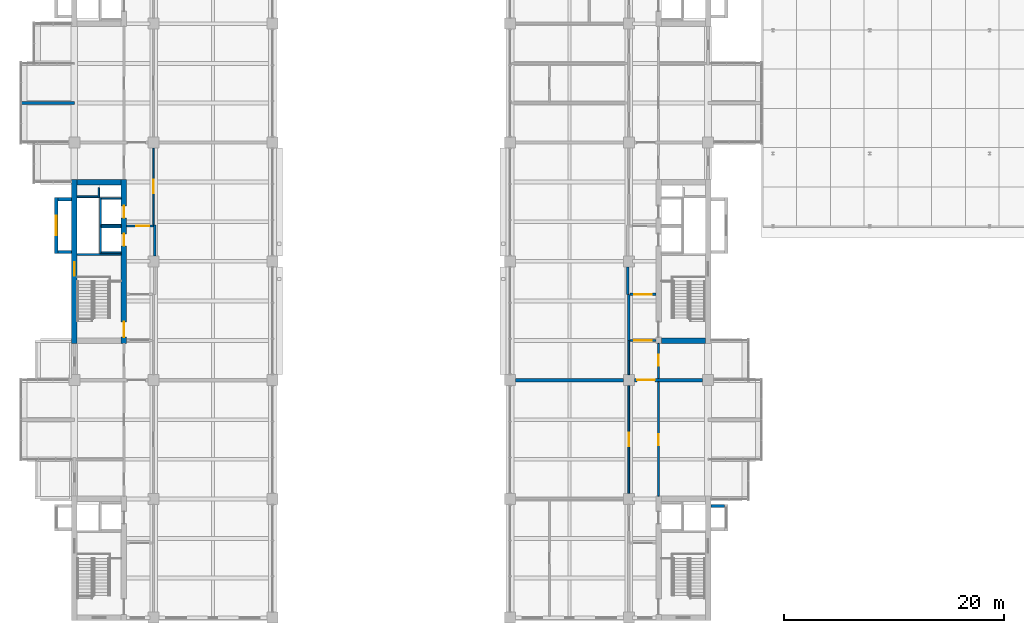
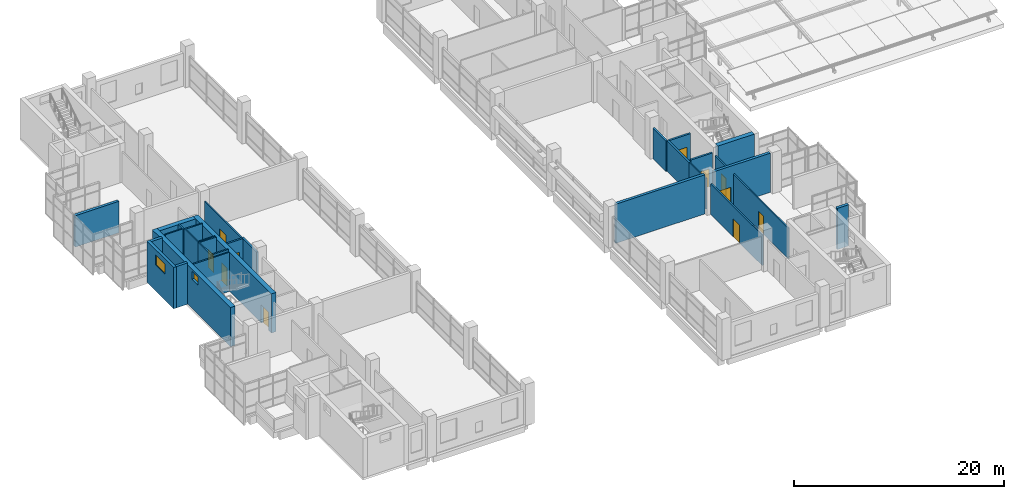
# One storey, part 37 of 44: 31 walls, 11 doors, 2 windows, 13 openings.
"""IFC4 building model written with IfcOpenShell, lengths in metres."""

from ifc_helpers import new_model, si_unit, direction, frame, frame_2d, origin, place, context, subcontext, project, spatial, rectangle, extrude, material, layer, layer_set, type_object, element, fill, save


model = new_model("IFC4")

# Units and contexts
model_context = context("Model", 3, precision=1e-05, world=origin(), true_north=direction((0.0, 1.0)))
body_context = subcontext(model_context, "Body", "Model", "MODEL_VIEW")
ifc_project = project(units=[si_unit("LENGTHUNIT", "METRE"), si_unit("AREAUNIT", "SQUARE_METRE"), si_unit("VOLUMEUNIT", "CUBIC_METRE"), si_unit("PLANEANGLEUNIT", "RADIAN"), si_unit("MASSUNIT", "GRAM", prefix="KILO")], contexts=[model_context])

# Site, building, storey
site_placement = place(None, origin())
site = spatial("IfcSite", under=ifc_project, at=site_placement, CompositionType="ELEMENT")
building_placement = place(site_placement, origin())
building = spatial("IfcBuilding", under=site, at=building_placement, Name="Basin Gate Institute", CompositionType="ELEMENT")
storey_placement = place(building_placement, frame((0.0, 0.0, 27.0)))
storey = spatial("IfcBuildingStorey", under=building, at=storey_placement, Name="L05", CompositionType="ELEMENT", Elevation=27.0)

# Wall
ifc_material_1 = material(Name="Aluminium-faced insulated panel wall", Category="aluminium")
ifc_layer_1 = layer(ifc_material_1, 0.300048828125)
ifc_layer_set_1 = layer_set([ifc_layer_1], Name="Capsule side wall EW2 EI 120")
wall_type_1 = type_object("IfcWallType", Name="Capsule side wall EW2 EI 120", PredefinedType="STANDARD", material=ifc_layer_set_1)
wall_1_placement = place(storey_placement, frame((56.39990234375, 81.89990234375, 0.0), z_axis=(0.0, 0.0, 1.0), x_axis=(1.0, 0.0, 0.0)))
element("IfcWall", 1, at=wall_1_placement, inside=storey, type_object=wall_type_1, material=ifc_layer_set_1, Name="Capsule side wall W wing L05 line 14", PredefinedType="STANDARD", context=body_context, shape_type="SweptSolid", body=[
    extrude(rectangle(XDim=4.800048828125, YDim=0.300048828125, at=frame_2d((2.39990234375, 0.0))), origin(), (0.0, 0.0, 1.0), 3.64990234375),
])

# Wall, opening, door
ifc_material_2 = material(Name="Fire-rated masonry", Category="masonry")
ifc_layer_2 = layer(ifc_material_2, 0.199951171875)
ifc_layer_set_2 = layer_set([ifc_layer_2], Name="Enclosure wall PW2 200 EI 60")
wall_type_2 = type_object("IfcWallType", Name="Enclosure wall PW2 200 EI 60", PredefinedType="PARTITIONING", material=ifc_layer_set_2)
wall_2_placement = place(storey_placement, frame((65.949951171875, 70.699951171875, 0.0), z_axis=(0.0, 0.0, 1.0), x_axis=(1.0, 0.0, 0.0)))
wall_2 = element("IfcWall", 2, at=wall_2_placement, inside=storey, type_object=wall_type_2, material=ifc_layer_set_2, Name="Emergency lift lobby wall PW2 L05", PredefinedType="PARTITIONING", context=body_context, shape_type="SweptSolid", body=[
    extrude(rectangle(XDim=2.449951171875, YDim=0.199951171875, at=frame_2d((1.22509765625, 0.0))), origin(), (0.0, 0.0, 1.0), 3.550048828125),
])
opening_1_placement = place(wall_2_placement, frame((0.85009765625, 0.0, 0.0)))
opening_1 = element("IfcOpeningElement", 3, at=opening_1_placement, cuts=wall_2, Name="Opening DR275", PredefinedType="OPENING", context=body_context, shape_type="SweptSolid", body=[
    extrude(rectangle(XDim=1.199951171875, YDim=2.10009765625, at=frame_2d((0.60009765625, 1.050048828125))), frame((0.0, 0.10986328125, 0.0), z_axis=(0.0, -1.0, 0.0), x_axis=(1.0, 0.0, 0.0)), (0.0, 0.0, 1.0), 0.219970703125),
])
ifc_material_3 = material(Name="Steel fire door", Category="steel")
door_type_1 = type_object("IfcDoorType", Name="FD60 Emergency lift lobby door D9", OperationType="NOTDEFINED", PredefinedType="DOOR", material=ifc_material_3)
door_1_placement = place(opening_1_placement, frame((1.199951171875, 0.0, 0.0), z_axis=(0.0, 0.0, 1.0), x_axis=(-1.0, 0.0, 0.0)))
door_1 = element("IfcDoor", 4, at=door_1_placement, inside=storey, type_object=door_type_1, material=ifc_material_3, Name="Emergency lift lobby door LF1 L05", OperationType="SINGLE_SWING_LEFT", OverallHeight=2.10009765625, OverallWidth=1.199951171875, PredefinedType="DOOR", context=body_context, shape_type="SweptSolid", body=[
    extrude(rectangle(XDim=1.199951171875, YDim=2.10009765625, at=frame_2d((0.60009765625, 1.050048828125))), frame((0.0, 0.02490234375, 0.0), z_axis=(0.0, -1.0, 0.0), x_axis=(1.0, 0.0, 0.0)), (0.0, 0.0, 1.0), 0.050048828125),
])
fill(opening_1, door_1)

# Wall
wall_3_placement = place(storey_placement, frame((68.5, 68.0, 0.0), z_axis=(0.0, 0.0, 1.0), x_axis=(0.0, 1.0, 0.0)))
element("IfcWall", 5, at=wall_3_placement, inside=storey, type_object=wall_type_2, material=ifc_layer_set_2, Name="Emergency lift lobby wall PW2 L05", PredefinedType="PARTITIONING", context=body_context, shape_type="SweptSolid", body=[
    extrude(rectangle(XDim=2.800048828125, YDim=0.199951171875, at=frame_2d((1.39990234375, 0.0))), origin(), (0.0, 0.0, 1.0), 3.550048828125),
])

# Wall, opening, door
wall_4_placement = place(storey_placement, frame((114.050048828125, 60.300048828125, 0.0), z_axis=(0.0, 0.0, 1.0), x_axis=(-1.0, 0.0, 0.0)))
wall_4 = element("IfcWall", 6, at=wall_4_placement, inside=storey, type_object=wall_type_2, material=ifc_layer_set_2, Name="Smoke lobby enclosure wall PW2 L05", PredefinedType="PARTITIONING", context=body_context, shape_type="SweptSolid", body=[
    extrude(rectangle(XDim=2.35009765625, YDim=0.199951171875, at=frame_2d((1.175048828125, 0.0))), origin(), (0.0, 0.0, 1.0), 3.85009765625),
])
opening_2_placement = place(wall_4_placement, frame((0.375, 0.0, 0.0)))
opening_2 = element("IfcOpeningElement", 7, at=opening_2_placement, cuts=wall_4, Name="Opening DR262", PredefinedType="OPENING", context=body_context, shape_type="SweptSolid", body=[
    extrude(rectangle(XDim=1.60009765625, YDim=2.10009765625, at=frame_2d((0.800048828125, 1.050048828125))), frame((0.0, 0.10986328125, 0.0), z_axis=(0.0, -1.0, 0.0), x_axis=(1.0, 0.0, 0.0)), (0.0, 0.0, 1.0), 0.219970703125),
])
ifc_material_4 = material(Name="Steel fire door", Category="steel")
door_type_2 = type_object("IfcDoorType", Name="FD60 Smoke lobby door pair D8", OperationType="DOUBLE_DOOR_SINGLE_SWING", PredefinedType="DOOR", material=ifc_material_4)
door_2_placement = place(opening_2_placement, frame((1.60009765625, 0.0, 0.0), z_axis=(0.0, 0.0, 1.0), x_axis=(-1.0, 0.0, 0.0)))
door_2 = element("IfcDoor", 8, at=door_2_placement, inside=storey, type_object=door_type_2, material=ifc_material_4, Name="Smoke lobby door SS5 L05", OperationType="DOUBLE_DOOR_SINGLE_SWING", OverallHeight=2.10009765625, OverallWidth=1.60009765625, PredefinedType="DOOR", context=body_context, shape_type="SweptSolid", body=[
    extrude(rectangle(XDim=1.60009765625, YDim=2.10009765625, at=frame_2d((0.800048828125, 1.050048828125))), frame((0.0, 0.02490234375, 0.0), z_axis=(0.0, -1.0, 0.0), x_axis=(1.0, 0.0, 0.0)), (0.0, 0.0, 1.0), 0.050048828125),
])
fill(opening_2, door_2)

wall_5_placement = place(storey_placement, frame((114.050048828125, 64.5, 0.0), z_axis=(0.0, 0.0, 1.0), x_axis=(-1.0, 0.0, 0.0)))
wall_5 = element("IfcWall", 9, at=wall_5_placement, inside=storey, type_object=wall_type_2, material=ifc_layer_set_2, Name="Smoke lobby enclosure wall PW2 L05", PredefinedType="PARTITIONING", context=body_context, shape_type="SweptSolid", body=[
    extrude(rectangle(XDim=2.35009765625, YDim=0.199951171875, at=frame_2d((1.175048828125, 0.0))), origin(), (0.0, 0.0, 1.0), 3.550048828125),
])
opening_3_placement = place(wall_5_placement, frame((0.375, 0.0, 0.0)))
opening_3 = element("IfcOpeningElement", 10, at=opening_3_placement, cuts=wall_5, Name="Opening DR263", PredefinedType="OPENING", context=body_context, shape_type="SweptSolid", body=[
    extrude(rectangle(XDim=1.60009765625, YDim=2.10009765625, at=frame_2d((0.800048828125, 1.050048828125))), frame((0.0, 0.10986328125, 0.0), z_axis=(0.0, -1.0, 0.0), x_axis=(1.0, 0.0, 0.0)), (0.0, 0.0, 1.0), 0.219970703125),
])
door_3_placement = place(opening_3_placement, origin())
door_3 = element("IfcDoor", 11, at=door_3_placement, inside=storey, type_object=door_type_2, material=ifc_material_4, Name="Smoke lobby door SS5 L05", OperationType="DOUBLE_DOOR_SINGLE_SWING", OverallHeight=2.10009765625, OverallWidth=1.60009765625, PredefinedType="DOOR", context=body_context, shape_type="SweptSolid", body=[
    extrude(rectangle(XDim=1.60009765625, YDim=2.10009765625, at=frame_2d((0.800048828125, 1.050048828125))), frame((0.0, 0.02490234375, 0.0), z_axis=(0.0, -1.0, 0.0), x_axis=(1.0, 0.0, 0.0)), (0.0, 0.0, 1.0), 0.050048828125),
])
fill(opening_3, door_3)

# Walls
wall_6_placement = place(storey_placement, frame((111.60009765625, 60.300048828125, 0.0), z_axis=(0.0, 0.0, 1.0), x_axis=(0.0, 1.0, 0.0)))
element("IfcWall", 12, at=wall_6_placement, inside=storey, type_object=wall_type_2, material=ifc_layer_set_2, Name="Smoke lobby enclosure wall PW2 L05", PredefinedType="PARTITIONING", context=body_context, shape_type="SweptSolid", body=[
    extrude(rectangle(XDim=4.199951171875, YDim=0.199951171875, at=frame_2d((2.10009765625, 0.0))), origin(), (0.0, 0.0, 1.0), 3.550048828125),
])
wall_7_placement = place(storey_placement, frame((111.5, 64.5, 0.0), z_axis=(0.0, 0.0, 1.0), x_axis=(0.0, 1.0, 0.0)))
element("IfcWall", 13, at=wall_7_placement, inside=storey, type_object=wall_type_2, material=ifc_layer_set_2, Name="Emergency lift lobby wall PW2 L05", PredefinedType="PARTITIONING", context=body_context, shape_type="SweptSolid", body=[
    extrude(rectangle(XDim=2.5, YDim=0.199951171875, at=frame_2d((1.25, 0.0))), origin(), (0.0, 0.0, 1.0), 3.550048828125),
])

# Wall, opening, door
ifc_material_5 = material(Name="Gypsum board on steel stud", Category="steel")
ifc_layer_3 = layer(ifc_material_5, 0.14990234375)
ifc_layer_set_3 = layer_set([ifc_layer_3], Name="Gypsum board on steel stud")
wall_type_3 = type_object("IfcWallType", Name="Partition PW1 150 EI 60", PredefinedType="PARTITIONING", material=ifc_layer_set_3)
wall_8_placement = place(storey_placement, frame((68.39990234375, 70.800048828125, 0.0), z_axis=(0.0, 0.0, 1.0), x_axis=(0.0, 1.0, 0.0)))
wall_8 = element("IfcWall", 14, at=wall_8_placement, inside=storey, type_object=wall_type_3, material=ifc_layer_set_3, Name="Laboratory corridor wall PW1 L05", PredefinedType="PARTITIONING", context=body_context, shape_type="SweptSolid", body=[
    extrude(rectangle(XDim=7.0, YDim=0.14990234375, at=frame_2d((3.5, 0.0))), origin(), (0.0, 0.0, 1.0), 3.550048828125),
])
opening_4_placement = place(wall_8_placement, frame((2.89990234375, 0.0, 0.0)))
opening_4 = element("IfcOpeningElement", 15, at=opening_4_placement, cuts=wall_8, Name="Opening DR273", PredefinedType="OPENING", context=body_context, shape_type="SweptSolid", body=[
    extrude(rectangle(XDim=1.199951171875, YDim=2.10009765625, at=frame_2d((0.60009765625, 1.050048828125))), frame((0.0, 0.0849609375, 0.0), z_axis=(0.0, -1.0, 0.0), x_axis=(1.0, 0.0, 0.0)), (0.0, 0.0, 1.0), 0.169921875),
])
ifc_material_6 = material(Name="Timber fire door", Category="wood")
door_type_3 = type_object("IfcDoorType", Name="FD30 Laboratory door D2", OperationType="DOUBLE_DOOR_SINGLE_SWING", PredefinedType="DOOR", material=ifc_material_6)
door_4_placement = place(opening_4_placement, frame((1.199951171875, 0.0, 0.0), z_axis=(0.0, 0.0, 1.0), x_axis=(-1.0, 0.0, 0.0)))
door_4 = element("IfcDoor", 16, at=door_4_placement, inside=storey, type_object=door_type_3, material=ifc_material_6, Name="Door to Wet Laboratory 0515 L05", OperationType="DOUBLE_DOOR_SINGLE_SWING", OverallHeight=2.10009765625, OverallWidth=1.199951171875, PredefinedType="DOOR", context=body_context, shape_type="SweptSolid", body=[
    extrude(rectangle(XDim=1.199951171875, YDim=2.10009765625, at=frame_2d((0.60009765625, 1.050048828125))), frame((0.0, 0.02490234375, 0.0), z_axis=(0.0, -1.0, 0.0), x_axis=(1.0, 0.0, 0.0)), (0.0, 0.0, 1.0), 0.050048828125),
])
fill(opening_4, door_4)

wall_9_placement = place(storey_placement, frame((114.300048828125, 46.14990234375, 0.0), z_axis=(0.0, 0.0, 1.0), x_axis=(0.0, 1.0, 0.0)))
wall_9 = element("IfcWall", 17, at=wall_9_placement, inside=storey, type_object=wall_type_3, material=ifc_layer_set_3, Name="Corridor wall PW1 L05", PredefinedType="PARTITIONING", context=body_context, shape_type="SweptSolid", body=[
    extrude(rectangle(XDim=10.400146484375, YDim=0.14990234375, at=frame_2d((5.2001953125, 0.0))), origin(), (0.0, 0.0, 1.0), 3.550048828125),
])
opening_5_placement = place(wall_9_placement, frame((4.64990234375, 0.0, 0.0)))
opening_5 = element("IfcOpeningElement", 18, at=opening_5_placement, cuts=wall_9, Name="Opening DR256", PredefinedType="OPENING", context=body_context, shape_type="SweptSolid", body=[
    extrude(rectangle(XDim=1.0, YDim=2.10009765625, at=frame_2d((0.5, 1.050048828125))), frame((0.0, 0.0849609375, 0.0), z_axis=(0.0, -1.0, 0.0), x_axis=(1.0, 0.0, 0.0)), (0.0, 0.0, 1.0), 0.169921875),
])
ifc_material_7 = material(Name="Timber fire door", Category="wood")
door_type_4 = type_object("IfcDoorType", Name="FD30 Office door D1", OperationType="NOTDEFINED", PredefinedType="DOOR", material=ifc_material_7)
door_5_placement = place(opening_5_placement, frame((1.0, 0.0, 0.0), z_axis=(0.0, 0.0, 1.0), x_axis=(-1.0, 0.0, 0.0)))
door_5 = element("IfcDoor", 19, at=door_5_placement, inside=storey, type_object=door_type_4, material=ifc_material_7, Name="Door to Library Carrel Room 0551 L05", OperationType="SINGLE_SWING_RIGHT", OverallHeight=2.10009765625, OverallWidth=1.0, PredefinedType="DOOR", context=body_context, shape_type="SweptSolid", body=[
    extrude(rectangle(XDim=1.0, YDim=2.10009765625, at=frame_2d((0.5, 1.050048828125))), frame((0.0, 0.02490234375, 0.0), z_axis=(0.0, -1.0, 0.0), x_axis=(1.0, 0.0, 0.0)), (0.0, 0.0, 1.0), 0.050048828125),
])
fill(opening_5, door_5)

wall_10_placement = place(storey_placement, frame((114.300048828125, 56.85009765625, 0.0), z_axis=(0.0, 0.0, 1.0), x_axis=(0.0, 1.0, 0.0)))
wall_10 = element("IfcWall", 20, at=wall_10_placement, inside=storey, type_object=wall_type_3, material=ifc_layer_set_3, Name="Corridor wall PW1 L05", PredefinedType="PARTITIONING", context=body_context, shape_type="SweptSolid", body=[
    extrude(rectangle(XDim=3.199951171875, YDim=0.14990234375, at=frame_2d((1.60009765625, 0.0))), origin(), (0.0, 0.0, 1.0), 3.550048828125),
])
opening_6_placement = place(wall_10_placement, frame((1.14990234375, 0.0, 0.0)))
opening_6 = element("IfcOpeningElement", 21, at=opening_6_placement, cuts=wall_10, Name="Opening DR259", PredefinedType="OPENING", context=body_context, shape_type="SweptSolid", body=[
    extrude(rectangle(XDim=1.0, YDim=2.10009765625, at=frame_2d((0.5, 1.050048828125))), frame((0.0, 0.0849609375, 0.0), z_axis=(0.0, -1.0, 0.0), x_axis=(1.0, 0.0, 0.0)), (0.0, 0.0, 1.0), 0.169921875),
])
door_6_placement = place(opening_6_placement, frame((1.0, 0.0, 0.0), z_axis=(0.0, 0.0, 1.0), x_axis=(-1.0, 0.0, 0.0)))
door_6 = element("IfcDoor", 22, at=door_6_placement, inside=storey, type_object=door_type_4, material=ifc_material_7, Name="Door to Seminar Room 0552 L05", OperationType="SINGLE_SWING_LEFT", OverallHeight=2.10009765625, OverallWidth=1.0, PredefinedType="DOOR", context=body_context, shape_type="SweptSolid", body=[
    extrude(rectangle(XDim=1.0, YDim=2.10009765625, at=frame_2d((0.5, 1.050048828125))), frame((0.0, 0.02490234375, 0.0), z_axis=(0.0, -1.0, 0.0), x_axis=(1.0, 0.0, 0.0)), (0.0, 0.0, 1.0), 0.050048828125),
])
fill(opening_6, door_6)

wall_11_placement = place(storey_placement, frame((111.60009765625, 46.39990234375, 0.0), z_axis=(0.0, 0.0, 1.0), x_axis=(0.0, 1.0, 0.0)))
wall_11 = element("IfcWall", 23, at=wall_11_placement, inside=storey, type_object=wall_type_3, material=ifc_layer_set_3, Name="Laboratory corridor wall PW1 L05", PredefinedType="PARTITIONING", context=body_context, shape_type="SweptSolid", body=[
    extrude(rectangle(XDim=9.800048828125, YDim=0.14990234375, at=frame_2d((4.89990234375, 0.0))), origin(), (0.0, 0.0, 1.0), 3.550048828125),
])
opening_7_placement = place(wall_11_placement, frame((4.300048828125, 0.0, 0.0)))
opening_7 = element("IfcOpeningElement", 24, at=opening_7_placement, cuts=wall_11, Name="Opening DR252", PredefinedType="OPENING", context=body_context, shape_type="SweptSolid", body=[
    extrude(rectangle(XDim=1.199951171875, YDim=2.10009765625, at=frame_2d((0.60009765625, 1.050048828125))), frame((0.0, 0.0849609375, 0.0), z_axis=(0.0, -1.0, 0.0), x_axis=(1.0, 0.0, 0.0)), (0.0, 0.0, 1.0), 0.169921875),
])
door_7_placement = place(opening_7_placement, origin())
door_7 = element("IfcDoor", 25, at=door_7_placement, inside=storey, type_object=door_type_3, material=ifc_material_6, Name="Door to Instrument Room 0566 L05", OperationType="DOUBLE_DOOR_SINGLE_SWING", OverallHeight=2.10009765625, OverallWidth=1.199951171875, PredefinedType="DOOR", context=body_context, shape_type="SweptSolid", body=[
    extrude(rectangle(XDim=1.199951171875, YDim=2.10009765625, at=frame_2d((0.60009765625, 1.050048828125))), frame((0.0, 0.02490234375, 0.0), z_axis=(0.0, -1.0, 0.0), x_axis=(1.0, 0.0, 0.0)), (0.0, 0.0, 1.0), 0.050048828125),
])
fill(opening_7, door_7)

# Walls
wall_12_placement = place(storey_placement, frame((111.60009765625, 57.199951171875, 0.0), z_axis=(0.0, 0.0, 1.0), x_axis=(0.0, 1.0, 0.0)))
element("IfcWall", 26, at=wall_12_placement, inside=storey, type_object=wall_type_3, material=ifc_layer_set_3, Name="Laboratory corridor wall PW1 L05", PredefinedType="PARTITIONING", context=body_context, shape_type="SweptSolid", body=[
    extrude(rectangle(XDim=3.10009765625, YDim=0.14990234375, at=frame_2d((1.550048828125, 0.0))), origin(), (0.0, 0.0, 1.0), 3.550048828125),
])
ifc_material_8 = material(Name="Concrete 40 MPa", Category="concrete")
ifc_layer_4 = layer(ifc_material_8, 0.14990234375)
ifc_layer_set_4 = layer_set([ifc_layer_4], Name="Concrete 40 MPa")
wall_type_4 = type_object("IfcWallType", Name="Wall LS1 lift shaft enclosure R120", PredefinedType="SOLIDWALL", material=ifc_layer_set_4)
wall_13_placement = place(storey_placement, frame((63.574951171875, 68.199951171875, 0.0), z_axis=(0.0, 0.0, 1.0), x_axis=(0.0, 1.0, 0.0)))
element("IfcWall", 27, at=wall_13_placement, inside=storey, type_object=wall_type_4, material=ifc_layer_set_4, Name="Lift shaft enclosure LF1 L05 UL", PredefinedType="SOLIDWALL", context=body_context, shape_type="SweptSolid", body=[
    extrude(rectangle(XDim=2.5, YDim=0.14990234375, at=frame_2d((1.25, 0.0))), origin(), (0.0, 0.0, 1.0), 4.800048828125),
])
for number, where, z_axis, x_axis, name in (
    (28, (63.64990234375, 68.27490234375, 0.0), (0.0, 0.0, 1.0), (1.0, 0.0, 0.0), "Lift shaft enclosure LF1 L05 RL"),
    (29, (63.64990234375, 70.625, 0.0), (0.0, 0.0, 1.0), (1.0, 0.0, 0.0), "Lift shaft enclosure LF1 L05 RH"),
):
    element("IfcWall", number, at=place(storey_placement, frame(where, z_axis=z_axis, x_axis=x_axis)), inside=storey, type_object=wall_type_4, material=ifc_layer_set_4, Name=name, PredefinedType="SOLIDWALL", context=body_context, shape_type="SweptSolid", body=[
        extrude(rectangle(XDim=1.800048828125, YDim=0.14990234375, at=frame_2d((0.89990234375, 0.0))), origin(), (0.0, 0.0, 1.0), 4.800048828125),
    ])
wall_14_placement = place(storey_placement, frame((63.574951171875, 70.699951171875, 0.0), z_axis=(0.0, 0.0, 1.0), x_axis=(0.0, 1.0, 0.0)))
element("IfcWall", 30, at=wall_14_placement, inside=storey, type_object=wall_type_4, material=ifc_layer_set_4, Name="Lift shaft enclosure LP2 L05 UL", PredefinedType="SOLIDWALL", context=body_context, shape_type="SweptSolid", body=[
    extrude(rectangle(XDim=2.60009765625, YDim=0.14990234375, at=frame_2d((1.300048828125, 0.0))), origin(), (0.0, 0.0, 1.0), 4.800048828125),
])
for number, where, z_axis, x_axis, name in (
    (31, (63.64990234375, 70.77490234375, 0.0), (0.0, 0.0, 1.0), (1.0, 0.0, 0.0), "Lift shaft enclosure LP2 L05 RL"),
    (32, (63.64990234375, 73.22509765625, 0.0), (0.0, 0.0, 1.0), (1.0, 0.0, 0.0), "Lift shaft enclosure LP2 L05 RH"),
):
    element("IfcWall", number, at=place(storey_placement, frame(where, z_axis=z_axis, x_axis=x_axis)), inside=storey, type_object=wall_type_4, material=ifc_layer_set_4, Name=name, PredefinedType="SOLIDWALL", context=body_context, shape_type="SweptSolid", body=[
        extrude(rectangle(XDim=1.800048828125, YDim=0.14990234375, at=frame_2d((0.89990234375, 0.0))), origin(), (0.0, 0.0, 1.0), 4.800048828125),
    ])
ifc_material_9 = material(Name="Concrete 40 MPa", Category="concrete")
ifc_layer_5 = layer(ifc_material_9, 0.14990234375)
ifc_layer_set_5 = layer_set([ifc_layer_5], Name="Concrete 40 MPa")
wall_type_5 = type_object("IfcWallType", Name="Wall RS1 riser shaft enclosure R120", PredefinedType="SOLIDWALL", material=ifc_layer_set_5)
wall_15_placement = place(storey_placement, frame((61.449951171875, 73.375, 0.0), z_axis=(0.0, 0.0, 1.0), x_axis=(1.0, 0.0, 0.0)))
element("IfcWall", 33, at=wall_15_placement, inside=storey, type_object=wall_type_5, material=ifc_layer_set_5, Name="Riser shaft enclosure WM L05 N", PredefinedType="SOLIDWALL", context=body_context, shape_type="SweptSolid", body=[
    extrude(rectangle(XDim=1.900146484375, YDim=0.14990234375, at=frame_2d((0.9501953125, 0.0))), origin(), (0.0, 0.0, 1.0), 4.800048828125),
])
wall_16_placement = place(storey_placement, frame((63.425048828125, 73.300048828125, 0.0), z_axis=(0.0, 0.0, 1.0), x_axis=(0.0, 1.0, 0.0)))
element("IfcWall", 34, at=wall_16_placement, inside=storey, type_object=wall_type_5, material=ifc_layer_set_5, Name="Riser shaft enclosure WM L05 W", PredefinedType="SOLIDWALL", context=body_context, shape_type="SweptSolid", body=[
    extrude(rectangle(XDim=0.89990234375, YDim=0.14990234375, at=frame_2d((0.449951171875, 0.0))), origin(), (0.0, 0.0, 1.0), 4.800048828125),
])
ifc_material_10 = material(Name="Concrete 40 MPa", Category="concrete")
ifc_layer_6 = layer(ifc_material_10, 0.14990234375)
ifc_layer_set_6 = layer_set([ifc_layer_6], Name="Concrete 40 MPa")
wall_type_6 = type_object("IfcWallType", Name="Wall SE1 stair enclosure R120", PredefinedType="SOLIDWALL", material=ifc_layer_set_6)
wall_17_placement = place(storey_placement, frame((61.449951171875, 68.125, 0.0), z_axis=(0.0, 0.0, 1.0), x_axis=(1.0, 0.0, 0.0)))
element("IfcWall", 35, at=wall_17_placement, inside=storey, type_object=wall_type_6, material=ifc_layer_set_6, Name="Stair enclosure wall ST-WM L05", PredefinedType="SOLIDWALL", context=body_context, shape_type="SweptSolid", body=[
    extrude(rectangle(XDim=4.0, YDim=0.14990234375, at=frame_2d((2.0, 0.0))), origin(), (0.0, 0.0, 1.0), 4.550048828125),
])

# Wall, opening, window
ifc_material_11 = material(Name="Concrete 50 MPa", Category="concrete")
ifc_layer_7 = layer(ifc_material_11, 0.300048828125)
ifc_layer_set_7 = layer_set([ifc_layer_7], Name="Concrete 50 MPa")
wall_type_7 = type_object("IfcWallType", Name="Wall SK1 R120", PredefinedType="SHEAR", material=ifc_layer_set_7)
wall_18_placement = place(storey_placement, frame((59.550048828125, 68.199951171875, 0.0), z_axis=(0.0, 0.0, 1.0), x_axis=(0.0, 1.0, 0.0)))
wall_18 = element("IfcWall", 36, at=wall_18_placement, inside=storey, type_object=wall_type_7, material=ifc_layer_set_7, Name="Spine riser stack wall SK1 WM F L05", PredefinedType="SHEAR", context=body_context, shape_type="SweptSolid", body=[
    extrude(rectangle(XDim=5.10009765625, YDim=0.300048828125, at=frame_2d((2.550048828125, 0.0))), origin(), (0.0, 0.0, 1.0), 4.800048828125),
])
opening_8_placement = place(wall_18_placement, frame((1.64990234375, 0.0, 3.0)))
opening_8 = element("IfcOpeningElement", 37, at=opening_8_placement, cuts=wall_18, Name="Opening WL2", PredefinedType="OPENING", context=body_context, shape_type="SweptSolid", body=[
    extrude(rectangle(XDim=1.800048828125, YDim=1.199951171875, at=frame_2d((0.89990234375, 0.60009765625))), frame((0.0, 0.16015625, 0.0), z_axis=(0.0, -1.0, 0.0), x_axis=(1.0, 0.0, 0.0)), (0.0, 0.0, 1.0), 0.320068359375),
])
ifc_material_12 = material(Name="Aluminium louvre blades with fire damper", Category="aluminium")
window_type_1 = type_object("IfcWindowType", Name="Riser louvre EI 120 WL2", PartitioningType="SINGLE_PANEL", PredefinedType="WINDOW", material=ifc_material_12)
window_1_placement = place(opening_8_placement, origin())
window_1 = element("IfcWindow", 38, at=window_1_placement, inside=storey, type_object=window_type_1, material=ifc_material_12, Name="Riser louvre EI 120 WM riser 1 L05", OverallHeight=1.199951171875, OverallWidth=1.800048828125, PartitioningType="SINGLE_PANEL", PredefinedType="WINDOW", context=body_context, shape_type="SweptSolid", body=[
    extrude(rectangle(XDim=1.800048828125, YDim=1.199951171875, at=frame_2d((0.89990234375, 0.60009765625))), frame((0.0, 0.030029296875, 0.0), z_axis=(0.0, -1.0, 0.0), x_axis=(1.0, 0.0, 0.0)), (0.0, 0.0, 1.0), 0.06005859375),
])
fill(opening_8, window_1)

# Walls
for number, where, z_axis, x_axis, name in (
    (39, (60.949951171875, 68.35009765625, 0.0), (0.0, 0.0, 1.0), (-1.0, 0.0, 0.0), "Spine riser stack wall SK1 WM A L05"),
    (40, (60.949951171875, 73.14990234375, 0.0), (0.0, 0.0, 1.0), (-1.0, 0.0, 0.0), "Spine riser stack wall SK1 WM B L05"),
    (41, (119.050048828125, 45.25, 0.0), (0.0, 0.0, 1.0), (1.0, 0.0, 0.0), "Spine riser stack wall SK1 ES B L05"),
):
    element("IfcWall", number, at=place(storey_placement, frame(where, z_axis=z_axis, x_axis=x_axis)), inside=storey, type_object=wall_type_7, material=ifc_layer_set_7, Name=name, PredefinedType="SHEAR", context=body_context, shape_type="SweptSolid", body=[
        extrude(rectangle(XDim=1.25, YDim=0.300048828125, at=frame_2d((0.625, 0.0))), origin(), (0.0, 0.0, 1.0), 4.800048828125),
    ])

# Wall, opening, window
ifc_material_13 = material(Name="Concrete 60 MPa", Category="concrete")
ifc_layer_8 = layer(ifc_material_13, 0.5)
ifc_layer_set_8 = layer_set([ifc_layer_8], Name="Concrete 60 MPa")
wall_type_8 = type_object("IfcWallType", Name="Wall SW1 R120", PredefinedType="SHEAR", material=ifc_layer_set_8)
wall_19_placement = place(storey_placement, frame((61.199951171875, 60.050048828125, 0.0), z_axis=(0.0, 0.0, 1.0), x_axis=(0.0, 1.0, 0.0)))
wall_19 = element("IfcWall", 42, at=wall_19_placement, inside=storey, type_object=wall_type_8, material=ifc_layer_set_8, Name="WALL/L05/WM/L", PredefinedType="SHEAR", context=body_context, shape_type="SweptSolid", body=[
    extrude(rectangle(XDim=14.89990234375, YDim=0.5, at=frame_2d((7.449951171875, 0.0))), origin(), (0.0, 0.0, 1.0), 4.550048828125),
])
opening_9_placement = place(wall_19_placement, frame((6.159912109375, 0.0, 3.39990234375)))
opening_9 = element("IfcOpeningElement", 43, at=opening_9_placement, cuts=wall_19, Name="Opening WT2", PredefinedType="OPENING", context=body_context, shape_type="SweptSolid", body=[
    extrude(rectangle(XDim=1.199951171875, YDim=0.89990234375, at=frame_2d((0.60009765625, 0.449951171875))), frame((0.0, 0.260009765625, 0.0), z_axis=(0.0, -1.0, 0.0), x_axis=(1.0, 0.0, 0.0)), (0.0, 0.0, 1.0), 0.52001953125),
])
ifc_material_14 = material(Name="Fire-resistant glazing in steel-free frame", Category="steel")
window_type_2 = type_object("IfcWindowType", Name="Rated stair window EI 120 WT2", PartitioningType="SINGLE_PANEL", PredefinedType="WINDOW", material=ifc_material_14)
window_2_placement = place(opening_9_placement, origin())
window_2 = element("IfcWindow", 44, at=window_2_placement, inside=storey, type_object=window_type_2, material=ifc_material_14, Name="Rated stair window EI 120 WM landing L05", OverallHeight=0.89990234375, OverallWidth=1.199951171875, PartitioningType="SINGLE_PANEL", PredefinedType="WINDOW", context=body_context, shape_type="SweptSolid", body=[
    extrude(rectangle(XDim=1.199951171875, YDim=0.89990234375, at=frame_2d((0.60009765625, 0.449951171875))), frame((0.0, 0.030029296875, 0.0), z_axis=(0.0, -1.0, 0.0), x_axis=(1.0, 0.0, 0.0)), (0.0, 0.0, 1.0), 0.06005859375),
])
fill(opening_9, window_2)

# Wall, openings, doors
wall_20_placement = place(storey_placement, frame((65.699951171875, 60.050048828125, 0.0), z_axis=(0.0, 0.0, 1.0), x_axis=(0.0, 1.0, 0.0)))
wall_20 = element("IfcWall", 45, at=wall_20_placement, inside=storey, type_object=wall_type_8, material=ifc_layer_set_8, Name="WALL/L05/WM/C", PredefinedType="SHEAR", context=body_context, shape_type="SweptSolid", body=[
    extrude(rectangle(XDim=14.89990234375, YDim=0.5, at=frame_2d((7.449951171875, 0.0))), origin(), (0.0, 0.0, 1.0), 4.550048828125),
])
opening_10_placement = place(wall_20_placement, frame((0.550048828125, 0.0, 0.0)))
opening_10 = element("IfcOpeningElement", 46, at=opening_10_placement, cuts=wall_20, Name="Opening DS032", PredefinedType="OPENING", context=body_context, shape_type="SweptSolid", body=[
    extrude(rectangle(XDim=1.39990234375, YDim=2.10009765625, at=frame_2d((0.699951171875, 1.050048828125))), frame((0.0, 0.260009765625, 0.0), z_axis=(0.0, -1.0, 0.0), x_axis=(1.0, 0.0, 0.0)), (0.0, 0.0, 1.0), 0.52001953125),
])
opening_11_placement = place(wall_20_placement, frame((8.85009765625, 0.0, 0.0)))
opening_11 = element("IfcOpeningElement", 47, at=opening_11_placement, cuts=wall_20, Name="Opening LD025", PredefinedType="OPENING", context=body_context, shape_type="SweptSolid", body=[
    extrude(rectangle(XDim=1.10009765625, YDim=2.10009765625, at=frame_2d((0.550048828125, 1.050048828125))), frame((0.0, 0.260009765625, 0.0), z_axis=(0.0, -1.0, 0.0), x_axis=(1.0, 0.0, 0.0)), (0.0, 0.0, 1.0), 0.52001953125),
])
opening_12_placement = place(wall_20_placement, frame((11.39990234375, 0.0, 0.0)))
opening_12 = element("IfcOpeningElement", 48, at=opening_12_placement, cuts=wall_20, Name="Opening LD043", PredefinedType="OPENING", context=body_context, shape_type="SweptSolid", body=[
    extrude(rectangle(XDim=1.10009765625, YDim=2.10009765625, at=frame_2d((0.550048828125, 1.050048828125))), frame((0.0, 0.260009765625, 0.0), z_axis=(0.0, -1.0, 0.0), x_axis=(1.0, 0.0, 0.0)), (0.0, 0.0, 1.0), 0.52001953125),
])
ifc_material_15 = material(Name="Steel fire door", Category="steel")
door_type_5 = type_object("IfcDoorType", Name="FD30 Stair enclosure door DS", OperationType="DOUBLE_DOOR_SINGLE_SWING", PredefinedType="DOOR", material=ifc_material_15)
door_8_placement = place(opening_10_placement, origin())
door_8 = element("IfcDoor", 49, at=door_8_placement, inside=storey, type_object=door_type_5, material=ifc_material_15, Name="Stair enclosure door ST-WM L05", OperationType="DOUBLE_DOOR_SINGLE_SWING", OverallHeight=2.10009765625, OverallWidth=1.39990234375, PredefinedType="DOOR", context=body_context, shape_type="SweptSolid", body=[
    extrude(rectangle(XDim=1.39990234375, YDim=2.10009765625, at=frame_2d((0.699951171875, 1.050048828125))), frame((0.0, 0.02490234375, 0.0), z_axis=(0.0, -1.0, 0.0), x_axis=(1.0, 0.0, 0.0)), (0.0, 0.0, 1.0), 0.050048828125),
])
fill(opening_10, door_8)
ifc_material_16 = material(Name="Stainless steel", Category="steel")
door_type_6 = type_object("IfcDoorType", Name="FD60 Lift landing door LD", OperationType="SLIDING_TO_LEFT", PredefinedType="DOOR", material=ifc_material_16)
door_9_placement = place(opening_11_placement, origin())
door_9 = element("IfcDoor", 50, at=door_9_placement, inside=storey, type_object=door_type_6, material=ifc_material_16, Name="Lift landing door LF1 L05", OperationType="SLIDING_TO_LEFT", OverallHeight=2.10009765625, OverallWidth=1.10009765625, PredefinedType="DOOR", context=body_context, shape_type="SweptSolid", body=[
    extrude(rectangle(XDim=1.10009765625, YDim=2.10009765625, at=frame_2d((0.550048828125, 1.050048828125))), frame((0.0, 0.02490234375, 0.0), z_axis=(0.0, -1.0, 0.0), x_axis=(1.0, 0.0, 0.0)), (0.0, 0.0, 1.0), 0.050048828125),
])
fill(opening_11, door_9)
door_10_placement = place(opening_12_placement, origin())
door_10 = element("IfcDoor", 51, at=door_10_placement, inside=storey, type_object=door_type_6, material=ifc_material_16, Name="Lift landing door LP2 L05", OperationType="SLIDING_TO_LEFT", OverallHeight=2.10009765625, OverallWidth=1.10009765625, PredefinedType="DOOR", context=body_context, shape_type="SweptSolid", body=[
    extrude(rectangle(XDim=1.10009765625, YDim=2.10009765625, at=frame_2d((0.550048828125, 1.050048828125))), frame((0.0, 0.02490234375, 0.0), z_axis=(0.0, -1.0, 0.0), x_axis=(1.0, 0.0, 0.0)), (0.0, 0.0, 1.0), 0.050048828125),
])
fill(opening_12, door_10)

# Walls
for number, where, z_axis, x_axis, name in (
    (52, (61.449951171875, 74.699951171875, 0.0), (0.0, 0.0, 1.0), (1.0, 0.0, 0.0), "WALL/L05/WM/N"),
    (53, (118.550048828125, 60.300048828125, 0.0), (0.0, 0.0, 1.0), (-1.0, 0.0, 0.0), "WALL/L05/EM/S"),
):
    element("IfcWall", number, at=place(storey_placement, frame(where, z_axis=z_axis, x_axis=x_axis)), inside=storey, type_object=wall_type_8, material=ifc_layer_set_8, Name=name, PredefinedType="SHEAR", context=body_context, shape_type="SweptSolid", body=[
        extrude(rectangle(XDim=4.0, YDim=0.5, at=frame_2d((2.0, 0.0))), origin(), (0.0, 0.0, 1.0), 4.550048828125),
    ])

# Wall, opening, door
ifc_material_17 = material(Name="Concrete 50 MPa", Category="concrete")
ifc_layer_9 = layer(ifc_material_17, 0.300048828125)
ifc_layer_set_9 = layer_set([ifc_layer_9], Name="Concrete 50 MPa")
wall_type_9 = type_object("IfcWallType", Name="Wall XW1 R120", PredefinedType="SHEAR", material=ifc_layer_set_9)
wall_21_placement = place(storey_placement, frame((118.300048828125, 56.699951171875, 0.0), z_axis=(0.0, 0.0, 1.0), x_axis=(-1.0, 0.0, 0.0)))
wall_21 = element("IfcWall", 54, at=wall_21_placement, inside=storey, type_object=wall_type_9, material=ifc_layer_set_9, Name="WALL/L05/EXC/1", PredefinedType="SHEAR", context=body_context, shape_type="SweptSolid", body=[
    extrude(rectangle(XDim=6.199951171875, YDim=0.300048828125, at=frame_2d((3.10009765625, 0.0))), origin(), (0.0, 0.0, 1.0), 4.550048828125),
])
opening_13_placement = place(wall_21_placement, frame((4.33740234375, 0.0, 0.0)))
opening_13 = element("IfcOpeningElement", 55, at=opening_13_placement, cuts=wall_21, Name="Opening DR265", PredefinedType="OPENING", context=body_context, shape_type="SweptSolid", body=[
    extrude(rectangle(XDim=1.60009765625, YDim=2.10009765625, at=frame_2d((0.800048828125, 1.050048828125))), frame((0.0, 0.16015625, 0.0), z_axis=(0.0, -1.0, 0.0), x_axis=(1.0, 0.0, 0.0)), (0.0, 0.0, 1.0), 0.320068359375),
])
ifc_material_18 = material(Name="Steel fire door", Category="steel")
door_type_7 = type_object("IfcDoorType", Name="FD60 Compartment door pair D7", OperationType="DOUBLE_DOOR_SINGLE_SWING", PredefinedType="DOOR", material=ifc_material_18)
door_11_placement = place(opening_13_placement, frame((1.60009765625, 0.0, 0.0), z_axis=(0.0, 0.0, 1.0), x_axis=(-1.0, 0.0, 0.0)))
door_11 = element("IfcDoor", 56, at=door_11_placement, inside=storey, type_object=door_type_7, material=ifc_material_18, Name="Compartment door pair L05 E1 L05", OperationType="DOUBLE_DOOR_SINGLE_SWING", OverallHeight=2.10009765625, OverallWidth=1.60009765625, PredefinedType="DOOR", context=body_context, shape_type="SweptSolid", body=[
    extrude(rectangle(XDim=1.60009765625, YDim=2.10009765625, at=frame_2d((0.800048828125, 1.050048828125))), frame((0.0, 0.02490234375, 0.0), z_axis=(0.0, -1.0, 0.0), x_axis=(1.0, 0.0, 0.0)), (0.0, 0.0, 1.0), 0.050048828125),
])
fill(opening_13, door_11)

# Wall
wall_22_placement = place(storey_placement, frame((111.10009765625, 56.699951171875, 0.0), z_axis=(0.0, 0.0, 1.0), x_axis=(-1.0, 0.0, 0.0)))
element("IfcWall", 57, at=wall_22_placement, inside=storey, type_object=wall_type_9, material=ifc_layer_set_9, Name="WALL/L05/EXC/2", PredefinedType="SHEAR", context=body_context, shape_type="SweptSolid", body=[
    extrude(rectangle(XDim=9.800048828125, YDim=0.300048828125, at=frame_2d((4.89990234375, 0.0))), origin(), (0.0, 0.0, 1.0), 4.550048828125),
])

save(model, "model.ifc")
